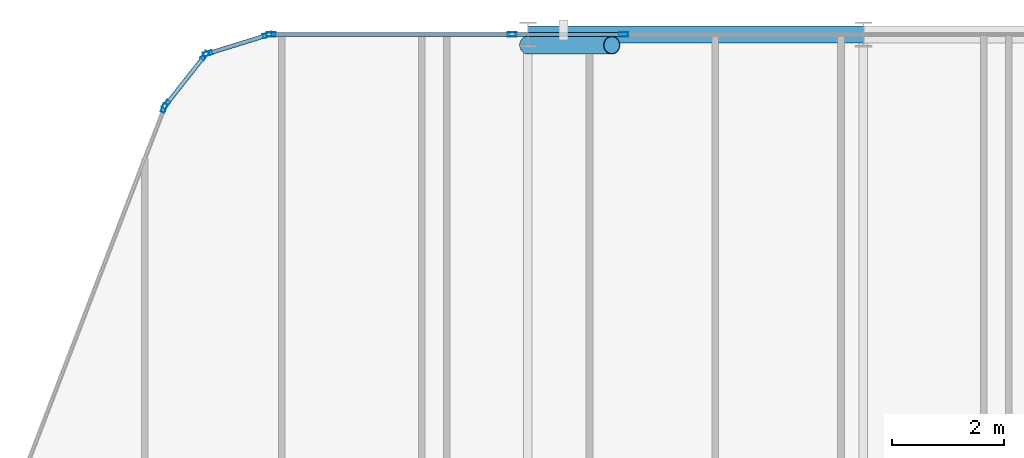
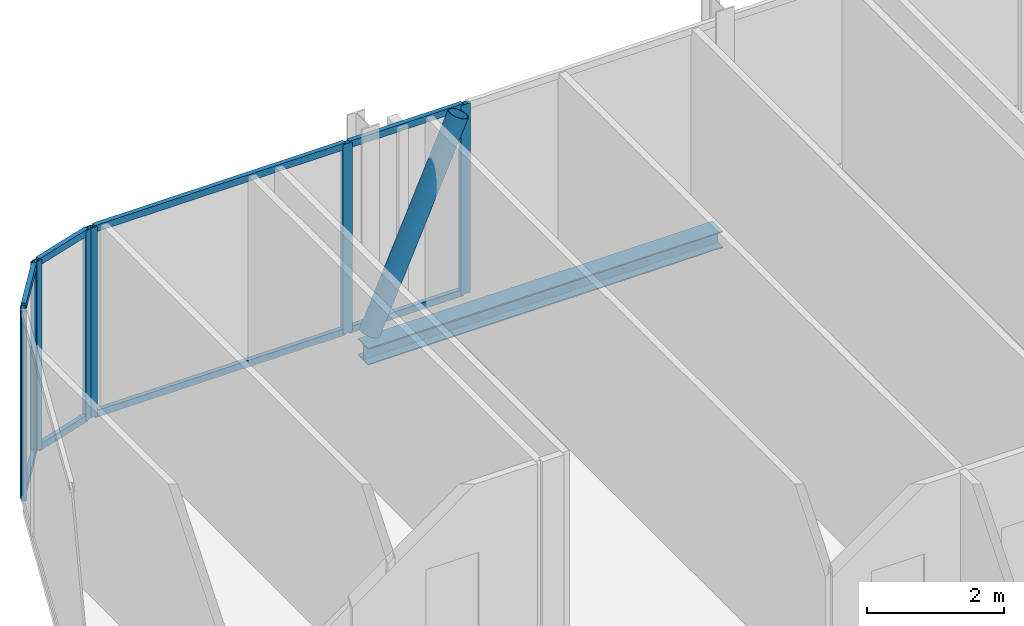
# One storey, part 18 of 29: 17 members, 1 beam, 5 elements without a shape of their own.
"""IFC4 building model written with IfcOpenShell, lengths in metres."""

from ifc_helpers import new_model, si_unit, direction, frame, origin, origin_2d, place, context, subcontext, project, spatial, hollow_rectangle, hollow_circle, i_section, extrude, material, layer, layer_set, material_profile, profile_set, type_object, element, aggregate, save


model = new_model("IFC4")

# Units and contexts
model_context = context("Model", 3, precision=1e-05, world=origin(), true_north=direction((0.0, 1.0)))
body_context = subcontext(model_context, "Body", "Model", "MODEL_VIEW")
ifc_project = project(units=[si_unit("LENGTHUNIT", "METRE"), si_unit("AREAUNIT", "SQUARE_METRE"), si_unit("VOLUMEUNIT", "CUBIC_METRE"), si_unit("PLANEANGLEUNIT", "RADIAN"), si_unit("MASSUNIT", "GRAM", prefix="KILO")], contexts=[model_context])

# Site, building, storey
site_placement = place(None, origin())
site = spatial("IfcSite", under=ifc_project, at=site_placement, CompositionType="ELEMENT")
building_placement = place(site_placement, origin())
building = spatial("IfcBuilding", under=site, at=building_placement, Name="Keshet Zoharim Tower", CompositionType="ELEMENT")
storey_placement = place(building_placement, frame((0.0, 0.0, 203.199951171875)))
storey = spatial("IfcBuildingStorey", under=building, at=storey_placement, Name="L50", CompositionType="ELEMENT", Elevation=203.199951171875)

# Beam
ifc_material_1 = material(Name="Steel S355", Category="steel")
ifc_material_profile_1 = material_profile(ifc_material_1, i_section(OverallWidth=0.300048828125, OverallDepth=0.300048828125, WebThickness=0.010986328125, FlangeThickness=0.01904296875, FilletRadius=0.027099609375, at=origin_2d()), Name="HEB300")
ifc_profile_set_1 = profile_set([ifc_material_profile_1], Name="Steel S355")
beam_type = type_object("IfcBeamType", Name="BM-PRI-HB300", PredefinedType="BEAM", material=ifc_profile_set_1)
beam_placement = place(storey_placement, frame((21.0, 53.89990234375, -0.4599609375), z_axis=(1.0, 0.0, 0.0), x_axis=(0.0, 1.0, 0.0)))
element("IfcBeam", 1, at=beam_placement, inside=storey, type_object=beam_type, Name="L50 Primary Girder X-019", PredefinedType="BEAM", context=body_context, shape_type="SweptSolid", body=[
    extrude(i_section(OverallWidth=0.300048828125, OverallDepth=0.300048828125, WebThickness=0.010986328125, FlangeThickness=0.01904296875, FilletRadius=0.027099609375, at=origin_2d()), origin(), (0.0, 0.0, 1.0), 6.0),
])

# Curtain wall, member
ifc_material_2 = material(Name="Aluminium 6063-T6", Category="aluminium")
ifc_layer = layer(ifc_material_2, 0.139892578125)
ifc_layer_set = layer_set([ifc_layer], Name="Aluminium 6063-T6")
curtain_wall_type = type_object("IfcCurtainWallType", Name="CW-SYS-05", PredefinedType="NOTDEFINED", material=ifc_layer_set)
curtain_wall_1_placement = place(storey_placement, origin())
curtain_wall_1 = element("IfcCurtainWall", 2, at=curtain_wall_1_placement, inside=storey, type_object=curtain_wall_type, Name="L50 Unitised Curtain Wall 13", PredefinedType="NOTDEFINED")
ifc_material_profile_2 = material_profile(ifc_material_2, hollow_rectangle(XDim=0.074951171875, YDim=0.159912109375, WallThickness=0.00390625, at=origin_2d()), Name="MUL-75x160")
ifc_profile_set_2 = profile_set([ifc_material_profile_2], Name="Aluminium 6063-T6")
member_type_1 = type_object("IfcMemberType", Name="CWM-M15", PredefinedType="MULLION", material=ifc_profile_set_2)
member_1_placement = place(storey_placement, frame((14.494384765625, 52.58544921875, 0.0), z_axis=(0.0, 0.0, 1.0), x_axis=(-0.933341404361, 0.358990003907, 0.0)))
member_1 = element("IfcMember", 3, at=member_1_placement, type_object=member_type_1, Name="CW-05 mullion 4", PredefinedType="MULLION", context=body_context, shape_type="SweptSolid", body=[
    extrude(hollow_rectangle(XDim=0.074951171875, YDim=0.159912109375, WallThickness=0.00390625, at=origin_2d()), origin(), (0.0, 0.0, 1.0), 3.39013671875),
])
aggregate(curtain_wall_1, [member_1])

# Curtain wall, members
curtain_wall_2_placement = place(storey_placement, origin())
curtain_wall_2 = element("IfcCurtainWall", 4, at=curtain_wall_2_placement, inside=storey, type_object=curtain_wall_type, Name="L50 Unitised Curtain Wall 14", PredefinedType="NOTDEFINED")
member_2_placement = place(storey_placement, frame((14.528564453125, 52.6455078125, 0.0), z_axis=(0.0, 0.0, 1.0), x_axis=(-0.785292825205, 0.619124525989, 0.0)))
member_2 = element("IfcMember", 5, at=member_2_placement, type_object=member_type_1, Name="CW-05 mullion 1", PredefinedType="MULLION", context=body_context, shape_type="SweptSolid", body=[
    extrude(hollow_rectangle(XDim=0.074951171875, YDim=0.159912109375, WallThickness=0.00390625, at=origin_2d()), origin(), (0.0, 0.0, 1.0), 3.39013671875),
])
member_3_placement = place(storey_placement, frame((15.21923828125, 53.521484375, 0.0), z_axis=(0.0, 0.0, 1.0), x_axis=(-0.785292825205, 0.619124525989, 0.0)))
member_3 = element("IfcMember", 6, at=member_3_placement, type_object=member_type_1, Name="CW-05 mullion 2", PredefinedType="MULLION", context=body_context, shape_type="SweptSolid", body=[
    extrude(hollow_rectangle(XDim=0.074951171875, YDim=0.159912109375, WallThickness=0.00390625, at=origin_2d()), origin(), (0.0, 0.0, 1.0), 3.39013671875),
])

curtain_wall_3_placement = place(storey_placement, origin())
curtain_wall_3 = element("IfcCurtainWall", 7, at=curtain_wall_3_placement, inside=storey, type_object=curtain_wall_type, Name="L50 Unitised Curtain Wall 15", PredefinedType="NOTDEFINED")
member_4_placement = place(storey_placement, frame((15.2744140625, 53.559326171875, 0.0), z_axis=(0.0, 0.0, 1.0), x_axis=(-0.295921857984, 0.955212151288, 0.0)))
member_4 = element("IfcMember", 8, at=member_4_placement, type_object=member_type_1, Name="CW-05 mullion 1", PredefinedType="MULLION", context=body_context, shape_type="SweptSolid", body=[
    extrude(hollow_rectangle(XDim=0.074951171875, YDim=0.159912109375, WallThickness=0.00390625, at=origin_2d()), origin(), (0.0, 0.0, 1.0), 3.39013671875),
])
member_5_placement = place(storey_placement, frame((16.340576171875, 53.8896484375, 0.0), z_axis=(0.0, 0.0, 1.0), x_axis=(-0.295921857984, 0.955212151288, 0.0)))
member_5 = element("IfcMember", 9, at=member_5_placement, type_object=member_type_1, Name="CW-05 mullion 2", PredefinedType="MULLION", context=body_context, shape_type="SweptSolid", body=[
    extrude(hollow_rectangle(XDim=0.074951171875, YDim=0.159912109375, WallThickness=0.00390625, at=origin_2d()), origin(), (0.0, 0.0, 1.0), 3.39013671875),
])

curtain_wall_4_placement = place(storey_placement, origin())
curtain_wall_4 = element("IfcCurtainWall", 10, at=curtain_wall_4_placement, inside=storey, type_object=curtain_wall_type, Name="L50 Unitised Curtain Wall 16", PredefinedType="NOTDEFINED")
member_6_placement = place(storey_placement, frame((16.408935546875, 53.89990234375, 0.0), z_axis=(0.0, 0.0, 1.0), x_axis=(0.0, 1.0, 0.0)))
member_6 = element("IfcMember", 11, at=member_6_placement, type_object=member_type_1, Name="CW-05 mullion 1", PredefinedType="MULLION", context=body_context, shape_type="SweptSolid", body=[
    extrude(hollow_rectangle(XDim=0.074951171875, YDim=0.159912109375, WallThickness=0.00390625, at=origin_2d()), origin(), (0.0, 0.0, 1.0), 3.39013671875),
])
member_7_placement = place(storey_placement, frame((20.716796875, 53.89990234375, 0.0), z_axis=(0.0, 0.0, 1.0), x_axis=(0.0, 1.0, 0.0)))
member_7 = element("IfcMember", 12, at=member_7_placement, type_object=member_type_1, Name="CW-05 mullion 2", PredefinedType="MULLION", context=body_context, shape_type="SweptSolid", body=[
    extrude(hollow_rectangle(XDim=0.074951171875, YDim=0.159912109375, WallThickness=0.00390625, at=origin_2d()), origin(), (0.0, 0.0, 1.0), 3.39013671875),
])

# Curtain wall, member
curtain_wall_5_placement = place(storey_placement, origin())
curtain_wall_5 = element("IfcCurtainWall", 13, at=curtain_wall_5_placement, inside=storey, type_object=curtain_wall_type, Name="L50 Unitised Curtain Wall 16 Part 2", PredefinedType="NOTDEFINED")
member_8_placement = place(storey_placement, frame((22.713134765625, 53.89990234375, 0.0), z_axis=(0.0, 0.0, 1.0), x_axis=(0.0, 1.0, 0.0)))
member_8 = element("IfcMember", 14, at=member_8_placement, type_object=member_type_1, Name="CW-05 mullion 2", PredefinedType="MULLION", context=body_context, shape_type="SweptSolid", body=[
    extrude(hollow_rectangle(XDim=0.074951171875, YDim=0.159912109375, WallThickness=0.00390625, at=origin_2d()), origin(), (0.0, 0.0, 1.0), 3.39013671875),
])

# Member
ifc_material_profile_3 = material_profile(ifc_material_2, hollow_rectangle(XDim=0.074951171875, YDim=0.1201171875, WallThickness=0.00390625, at=origin_2d()), Name="TRN-75x120")
ifc_profile_set_3 = profile_set([ifc_material_profile_3], Name="Aluminium 6063-T6")
member_type_2 = type_object("IfcMemberType", Name="CWT-T12", PredefinedType="USERDEFINED", material=ifc_profile_set_3)
member_9_placement = place(storey_placement, frame((14.55029296875, 52.6728515625, 0.03515625), z_axis=(0.619099165969, 0.78531281837, 0.0), x_axis=(-0.78531281837, 0.619099165969, 0.0)))
member_9 = element("IfcMember", 15, at=member_9_placement, type_object=member_type_2, Name="CW-05 transom 1.1", ObjectType="TRANSOM", PredefinedType="USERDEFINED", context=body_context, shape_type="SweptSolid", body=[
    extrude(hollow_rectangle(XDim=0.074951171875, YDim=0.1201171875, WallThickness=0.00390625, at=origin_2d()), origin(), (0.0, 0.0, 1.0), 1.0458984375),
])

member_10_placement = place(storey_placement, frame((14.55029296875, 52.6728515625, 3.35498046875), z_axis=(0.619099165969, 0.78531281837, 0.0), x_axis=(-0.78531281837, 0.619099165969, 0.0)))
member_10 = element("IfcMember", 16, at=member_10_placement, type_object=member_type_2, Name="CW-05 transom 1.2", ObjectType="TRANSOM", PredefinedType="USERDEFINED", context=body_context, shape_type="SweptSolid", body=[
    extrude(hollow_rectangle(XDim=0.074951171875, YDim=0.1201171875, WallThickness=0.00390625, at=origin_2d()), origin(), (0.0, 0.0, 1.0), 1.0458984375),
])

aggregate(curtain_wall_2, [member_2, member_3, member_9, member_10])

member_11_placement = place(storey_placement, frame((15.307861328125, 53.56982421875, 0.03515625), z_axis=(0.955212093062, 0.295922045933, 0.0), x_axis=(-0.295922045933, 0.955212093062, 0.0)))
member_11 = element("IfcMember", 17, at=member_11_placement, type_object=member_type_2, Name="CW-05 transom 1.1", ObjectType="TRANSOM", PredefinedType="USERDEFINED", context=body_context, shape_type="SweptSolid", body=[
    extrude(hollow_rectangle(XDim=0.074951171875, YDim=0.1201171875, WallThickness=0.00390625, at=origin_2d()), origin(), (0.0, 0.0, 1.0), 1.046142578125),
])

member_12_placement = place(storey_placement, frame((15.307861328125, 53.56982421875, 3.35498046875), z_axis=(0.955212093062, 0.295922045933, 0.0), x_axis=(-0.295922045933, 0.955212093062, 0.0)))
member_12 = element("IfcMember", 18, at=member_12_placement, type_object=member_type_2, Name="CW-05 transom 1.2", ObjectType="TRANSOM", PredefinedType="USERDEFINED", context=body_context, shape_type="SweptSolid", body=[
    extrude(hollow_rectangle(XDim=0.074951171875, YDim=0.1201171875, WallThickness=0.00390625, at=origin_2d()), origin(), (0.0, 0.0, 1.0), 1.046142578125),
])

aggregate(curtain_wall_3, [member_4, member_5, member_11, member_12])

member_13_placement = place(storey_placement, frame((16.444091796875, 53.89990234375, 0.03515625), z_axis=(1.0, 0.0, 0.0), x_axis=(0.0, 1.0, 0.0)))
member_13 = element("IfcMember", 19, at=member_13_placement, type_object=member_type_2, Name="CW-05 transom 1.1", ObjectType="TRANSOM", PredefinedType="USERDEFINED", context=body_context, shape_type="SweptSolid", body=[
    extrude(hollow_rectangle(XDim=0.074951171875, YDim=0.1201171875, WallThickness=0.00390625, at=origin_2d()), origin(), (0.0, 0.0, 1.0), 4.23779296875),
])

member_14_placement = place(storey_placement, frame((16.444091796875, 53.89990234375, 3.35498046875), z_axis=(1.0, 0.0, 0.0), x_axis=(0.0, 1.0, 0.0)))
member_14 = element("IfcMember", 20, at=member_14_placement, type_object=member_type_2, Name="CW-05 transom 1.2", ObjectType="TRANSOM", PredefinedType="USERDEFINED", context=body_context, shape_type="SweptSolid", body=[
    extrude(hollow_rectangle(XDim=0.074951171875, YDim=0.1201171875, WallThickness=0.00390625, at=origin_2d()), origin(), (0.0, 0.0, 1.0), 4.23779296875),
])

aggregate(curtain_wall_4, [member_6, member_7, member_13, member_14])

member_15_placement = place(storey_placement, frame((20.751953125, 53.89990234375, 0.03515625), z_axis=(1.0, 0.0, 0.0), x_axis=(0.0, 1.0, 0.0)))
member_15 = element("IfcMember", 21, at=member_15_placement, type_object=member_type_2, Name="CW-05 transom 1.1", ObjectType="TRANSOM", PredefinedType="USERDEFINED", context=body_context, shape_type="SweptSolid", body=[
    extrude(hollow_rectangle(XDim=0.074951171875, YDim=0.1201171875, WallThickness=0.00390625, at=origin_2d()), origin(), (0.0, 0.0, 1.0), 1.926025390625),
])

member_16_placement = place(storey_placement, frame((20.751953125, 53.89990234375, 3.35498046875), z_axis=(1.0, 0.0, 0.0), x_axis=(0.0, 1.0, 0.0)))
member_16 = element("IfcMember", 22, at=member_16_placement, type_object=member_type_2, Name="CW-05 transom 1.2", ObjectType="TRANSOM", PredefinedType="USERDEFINED", context=body_context, shape_type="SweptSolid", body=[
    extrude(hollow_rectangle(XDim=0.074951171875, YDim=0.1201171875, WallThickness=0.00390625, at=origin_2d()), origin(), (0.0, 0.0, 1.0), 1.926025390625),
])

aggregate(curtain_wall_5, [member_8, member_15, member_16])

ifc_material_profile_4 = material_profile(ifc_material_1, hollow_circle(Radius=0.161865234375, WallThickness=0.012451171875, at=origin_2d()), Name="CHS323x12.5")
ifc_profile_set_4 = profile_set([ifc_material_profile_4], Name="Steel S355")
member_type_3 = type_object("IfcMemberType", Name="MB-BR-C323", PredefinedType="BRACE", material=ifc_profile_set_4)
member_17_placement = place(storey_placement, frame((21.0, 53.7099609375, 0.0), z_axis=(0.404622528463, 0.0, 0.914483793984), x_axis=(0.0, 1.0, 0.0)))
element("IfcMember", 23, at=member_17_placement, inside=storey, type_object=member_type_3, Name="L50 Perimeter Tube Brace 02", PredefinedType="BRACE", context=body_context, shape_type="SweptSolid", body=[
    extrude(hollow_circle(Radius=0.161865234375, WallThickness=0.012451171875, at=origin_2d()), origin(), (0.0, 0.0, 1.0), 3.707275390625),
])

save(model, "model.ifc")
